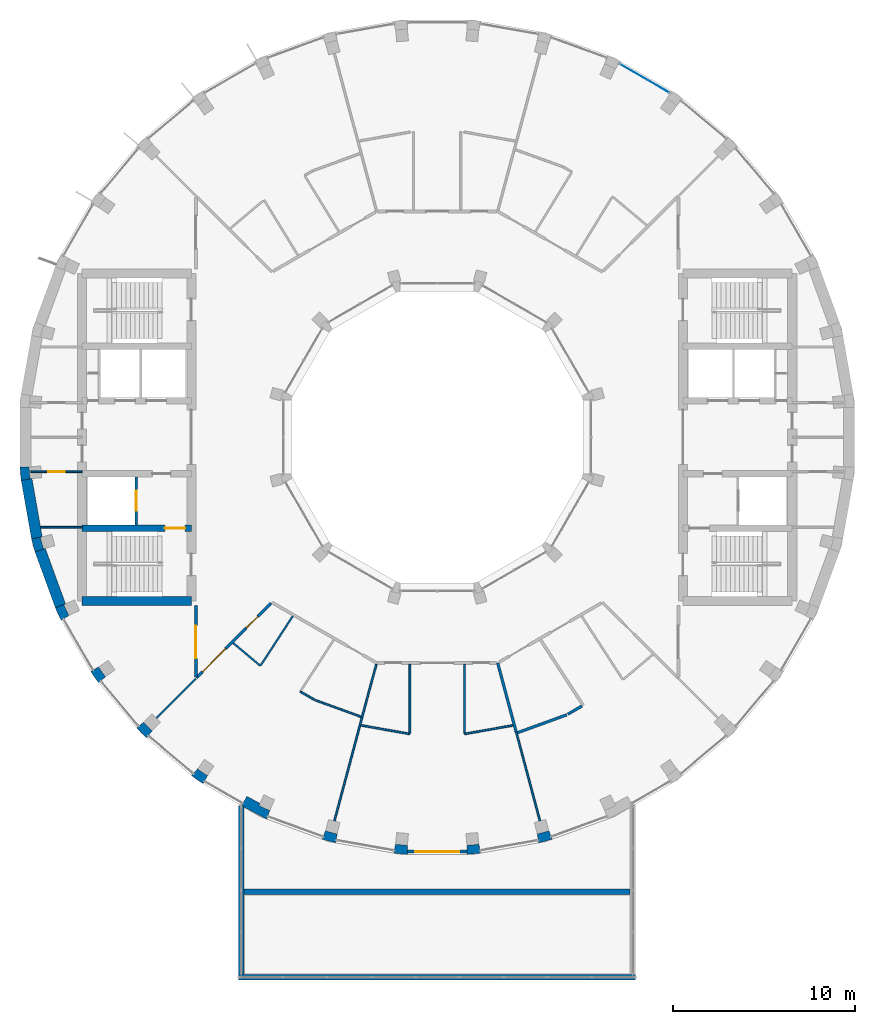
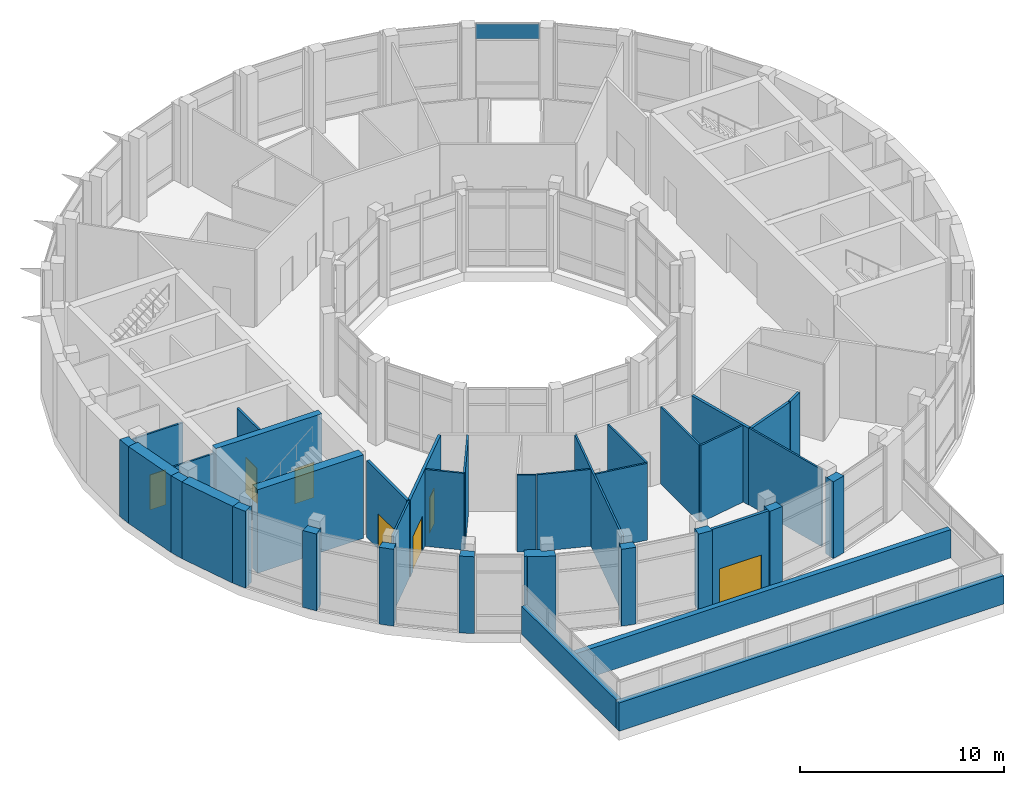
# One storey, part 13 of 19: 38 walls, 7 doors, 1 plate, 7 openings, 1 element without a shape of its own.
"""IFC4 building model written with IfcOpenShell, lengths in metres."""

from ifc_helpers import new_model, si_unit, direction, frame, frame_2d, origin, origin_2d, place, context, subcontext, project, spatial, polyline, rectangle, outline, extrude, material, layer, layer_set, type_object, element, fill, aggregate, save


model = new_model("IFC4")

# Units and contexts
model_context = context("Model", 3, precision=1e-05, world=origin(), true_north=direction((0.0, 1.0)))
body_context = subcontext(model_context, "Body", "Model", "MODEL_VIEW")
ifc_project = project(units=[si_unit("LENGTHUNIT", "METRE"), si_unit("AREAUNIT", "SQUARE_METRE"), si_unit("VOLUMEUNIT", "CUBIC_METRE"), si_unit("PLANEANGLEUNIT", "RADIAN"), si_unit("MASSUNIT", "GRAM", prefix="KILO")], contexts=[model_context])

# Site, building, storey
site_placement = place(None, origin())
site = spatial("IfcSite", under=ifc_project, at=site_placement, CompositionType="ELEMENT")
building_placement = place(site_placement, origin())
building = spatial("IfcBuilding", under=site, at=building_placement, Name="Saqina Gate Tower", CompositionType="ELEMENT")
storey_placement = place(building_placement, frame((0.0, 0.0, 224.699951171875)))
storey = spatial("IfcBuildingStorey", under=building, at=storey_placement, Name="L64", CompositionType="ELEMENT", Elevation=224.699951171875)

# Curtain wall, plate
ifc_material_1 = material(Name="Aluminium glazing", Category="aluminium")
ifc_layer_1 = layer(ifc_material_1, 0.159912109375)
ifc_layer_set_1 = layer_set([ifc_layer_1], Name="CWT-2")
curtain_wall_type = type_object("IfcCurtainWallType", Name="CWT-2", PredefinedType="NOTDEFINED", material=ifc_layer_set_1)
curtain_wall_placement = place(storey_placement, origin())
curtain_wall = element("IfcCurtainWall", 1, at=curtain_wall_placement, inside=storey, type_object=curtain_wall_type, Name="Sky lounge glazing facet 6", PredefinedType="NOTDEFINED")
ifc_material_2 = material(Name="Glass", Category="glass")
ifc_layer_2 = layer(ifc_material_2, 0.028076171875)
ifc_layer_set_2 = layer_set([ifc_layer_2], Name="CWT-2P")
plate_type = type_object("IfcPlateType", Name="CWT-2P", PredefinedType="CURTAIN_PANEL", material=ifc_layer_set_2)
plate_placement = place(storey_placement, frame((11.38134765625, 19.712890625, 3.6298828125), z_axis=(0.0, 0.0, 1.0), x_axis=(-0.8660355365, 0.499982449212, 0.0)))
plate = element("IfcPlate", 2, at=plate_placement, type_object=plate_type, Name="CW2-06 panel 1.3", PredefinedType="CURTAIN_PANEL", context=body_context, shape_type="SweptSolid", body=[
    extrude(rectangle(XDim=3.1318359375, YDim=0.028076171875, at=origin_2d()), origin(), (0.0, 0.0, 1.0), 0.909912109375),
])
aggregate(curtain_wall, [plate])

# Walls
ifc_material_3 = material(Name="Brick masonry (buff)", Category="masonry")
wall_type_1 = type_object("IfcWallType", Name="BRICK PIER COPING BUFF", PredefinedType="SOLIDWALL", material=ifc_material_3)
wall_1_placement = place(storey_placement, origin())
element("IfcWall", 3, at=wall_1_placement, inside=storey, type_object=wall_type_1, Name="Pier cap L64 column 19", PredefinedType="SOLIDWALL", context=body_context, shape_type="SweptSolid", body=[
    extrude(outline(polyline([(-22.91259765625, -1.625732421875), (-22.8466796875, -2.377685546875), (-22.255859375, -2.2734375), (-22.361083984375, -2.28271484375), (-22.417724609375, -1.635009765625), (-22.3125, -1.625732421875), (-22.91259765625, -1.625732421875)])), origin(), (0.0, 0.0, 1.0), 4.60009765625),
])
wall_2_placement = place(storey_placement, origin())
element("IfcWall", 4, at=wall_2_placement, inside=storey, type_object=wall_type_1, Name="Pier cap L64 column 20", PredefinedType="SOLIDWALL", context=body_context, shape_type="SweptSolid", body=[
    extrude(outline(polyline([(-22.0869140625, -6.30859375), (-21.52294921875, -6.103515625), (-21.625, -6.130859375), (-21.793212890625, -5.5029296875), (-21.691162109375, -5.4755859375), (-22.281982421875, -5.579833984375), (-22.0869140625, -6.30859375)])), origin(), (0.0, 0.0, 1.0), 4.60009765625),
])
wall_3_placement = place(storey_placement, origin())
element("IfcWall", 5, at=wall_3_placement, inside=storey, type_object=wall_type_1, Name="Pier cap L64 column 21", PredefinedType="SOLIDWALL", context=body_context, shape_type="SweptSolid", body=[
    extrude(outline(polyline([(-20.974609375, -9.3642578125), (-20.65576171875, -10.048095703125), (-20.135986328125, -9.748291015625), (-20.23193359375, -9.79296875), (-20.506591796875, -9.203857421875), (-20.410888671875, -9.1591796875), (-20.974609375, -9.3642578125)])), origin(), (0.0, 0.0, 1.0), 4.60009765625),
])
wall_4_placement = place(storey_placement, origin())
element("IfcWall", 6, at=wall_4_placement, inside=storey, type_object=wall_type_1, Name="Pier cap L64 column 22", PredefinedType="SOLIDWALL", context=body_context, shape_type="SweptSolid", body=[
    extrude(outline(polyline([(-19.02978515625, -12.8642578125), (-18.59716796875, -13.482421875), (-18.137451171875, -13.0966796875), (-18.22412109375, -13.157470703125), (-18.596923828125, -12.625), (-18.51025390625, -12.564208984375), (-19.02978515625, -12.8642578125)])), origin(), (0.0, 0.0, 1.0), 4.60009765625),
])
wall_5_placement = place(storey_placement, origin())
element("IfcWall", 7, at=wall_5_placement, inside=storey, type_object=wall_type_1, Name="Pier cap L64 column 23", PredefinedType="SOLIDWALL", context=body_context, shape_type="SweptSolid", body=[
    extrude(outline(polyline([(-15.973388671875, -16.5068359375), (-15.587646484375, -16.04736328125), (-15.662353515625, -16.1220703125), (-16.1220703125, -15.662353515625), (-16.04736328125, -15.587646484375), (-16.5068359375, -15.973388671875), (-15.973388671875, -16.5068359375)])), origin(), (0.0, 0.0, 1.0), 4.60009765625),
])
wall_6_placement = place(storey_placement, origin())
element("IfcWall", 8, at=wall_6_placement, inside=storey, type_object=wall_type_1, Name="Pier cap L64 column 24", PredefinedType="SOLIDWALL", context=body_context, shape_type="SweptSolid", body=[
    extrude(outline(polyline([(-12.8642578125, -19.02978515625), (-12.564208984375, -18.51025390625), (-12.625, -18.596923828125), (-13.157470703125, -18.22412109375), (-13.0966796875, -18.137451171875), (-13.482421875, -18.59716796875), (-12.8642578125, -19.02978515625)])), origin(), (0.0, 0.0, 1.0), 4.60009765625),
])
wall_7_placement = place(storey_placement, origin())
element("IfcWall", 9, at=wall_7_placement, inside=storey, type_object=wall_type_1, Name="Pier cap L64 column 25", PredefinedType="SOLIDWALL", context=body_context, shape_type="SweptSolid", body=[
    extrude(outline(polyline([(-10.449951171875, -19.73095703125), (-10.75, -20.25048828125), (-10.60009765625, -20.25048828125), (-10.60009765625, -20.328857421875), (-9.3642578125, -20.974609375), (-9.1591796875, -20.410888671875), (-9.203857421875, -20.506591796875), (-9.79296875, -20.23193359375), (-9.73486328125, -20.107421875), (-10.449951171875, -19.73095703125)])), origin(), (0.0, 0.0, 1.0), 4.60009765625),
])
wall_8_placement = place(storey_placement, origin())
element("IfcWall", 10, at=wall_8_placement, inside=storey, type_object=wall_type_1, Name="Pier cap L64 column 26", PredefinedType="SOLIDWALL", context=body_context, shape_type="SweptSolid", body=[
    extrude(outline(polyline([(-5.579833984375, -22.281982421875), (-5.4755859375, -21.691162109375), (-5.5029296875, -21.793212890625), (-6.130859375, -21.625), (-6.103515625, -21.52294921875), (-6.30859375, -22.0869140625), (-5.579833984375, -22.281982421875)])), origin(), (0.0, 0.0, 1.0), 4.60009765625),
])
wall_9_placement = place(storey_placement, origin())
element("IfcWall", 11, at=wall_9_placement, inside=storey, type_object=wall_type_1, Name="Pier cap L64 column 27", PredefinedType="SOLIDWALL", context=body_context, shape_type="SweptSolid", body=[
    extrude(outline(polyline([(-2.377685546875, -22.8466796875), (-1.625732421875, -22.91259765625), (-1.625732421875, -22.3125), (-1.635009765625, -22.417724609375), (-2.28271484375, -22.361083984375), (-2.2734375, -22.255859375), (-2.377685546875, -22.8466796875)])), origin(), (0.0, 0.0, 1.0), 4.60009765625),
])
wall_10_placement = place(storey_placement, origin())
element("IfcWall", 12, at=wall_10_placement, inside=storey, type_object=wall_type_1, Name="Pier cap L64 column 28", PredefinedType="SOLIDWALL", context=body_context, shape_type="SweptSolid", body=[
    extrude(outline(polyline([(1.625732421875, -22.91259765625), (2.377685546875, -22.8466796875), (2.2734375, -22.255859375), (2.28271484375, -22.361083984375), (1.635009765625, -22.417724609375), (1.625732421875, -22.3125), (1.625732421875, -22.91259765625)])), origin(), (0.0, 0.0, 1.0), 4.60009765625),
])
wall_11_placement = place(storey_placement, origin())
element("IfcWall", 13, at=wall_11_placement, inside=storey, type_object=wall_type_1, Name="Pier cap L64 column 29", PredefinedType="SOLIDWALL", context=body_context, shape_type="SweptSolid", body=[
    extrude(outline(polyline([(6.30859375, -22.0869140625), (6.103515625, -21.52294921875), (6.130859375, -21.625), (5.5029296875, -21.793212890625), (5.4755859375, -21.691162109375), (5.579833984375, -22.281982421875), (6.30859375, -22.0869140625)])), origin(), (0.0, 0.0, 1.0), 4.60009765625),
])
ifc_material_4 = material(Name="Gypsum board on steel studs", Category="steel")
ifc_layer_3 = layer(ifc_material_4, 0.10009765625)
ifc_layer_set_3 = layer_set([ifc_layer_3], Name="CORE PARTITION")
wall_type_2 = type_object("IfcWallType", Name="CORE PARTITION", PredefinedType="PARTITIONING", material=ifc_layer_set_3)
wall_12_placement = place(storey_placement, frame((-19.5, -4.949951171875, 0.0), z_axis=(0.0, 0.0, 1.0), x_axis=(-1.0, 0.0, 0.0)))
element("IfcWall", 14, at=wall_12_placement, inside=storey, type_object=wall_type_2, Name="L64-CP-W04", PredefinedType="PARTITIONING", context=body_context, shape_type="SweptSolid", body=[
    extrude(rectangle(XDim=2.283935546875, YDim=0.10009765625, at=frame_2d((1.14208984375, 0.0))), origin(), (0.0, 0.0, 1.0), 4.60009765625),
])

# Wall, opening, door
wall_13_placement = place(storey_placement, frame((-19.5, -1.89990234375, 0.0), z_axis=(0.0, 0.0, 1.0), x_axis=(-1.0, 0.0, 0.0)))
wall_13 = element("IfcWall", 15, at=wall_13_placement, inside=storey, type_object=wall_type_2, Name="L64-CP-W05", PredefinedType="PARTITIONING", context=body_context, shape_type="SweptSolid", body=[
    extrude(rectangle(XDim=2.8125, YDim=0.10009765625, at=frame_2d((1.40625, 0.0))), origin(), (0.0, 0.0, 1.0), 4.60009765625),
])
opening_1_placement = place(wall_13_placement, frame((0.956298828125, 0.0, 0.0)))
opening_1 = element("IfcOpeningElement", 16, at=opening_1_placement, cuts=wall_13, Name="Opening L64-D105", PredefinedType="OPENING", context=body_context, shape_type="SweptSolid", body=[
    extrude(rectangle(XDim=0.89990234375, YDim=2.10009765625, at=frame_2d((0.449951171875, 1.050048828125))), frame((0.0, 0.06201171875, 0.0), z_axis=(0.0, -1.0, 0.0), x_axis=(1.0, 0.0, 0.0)), (0.0, 0.0, 1.0), 0.1240234375),
])
ifc_material_5 = material(Name="Steel-framed fire door leaf, EI 60", Category="steel")
door_type_1 = type_object("IfcDoorType", Name="SERVICE ROOM DOOR 900", OperationType="SINGLE_SWING_LEFT", PredefinedType="DOOR", material=ifc_material_5)
door_1_placement = place(opening_1_placement, origin())
door_1 = element("IfcDoor", 17, at=door_1_placement, inside=storey, type_object=door_type_1, Name="L64-CD-W16", OperationType="SINGLE_SWING_RIGHT", OverallHeight=2.10009765625, OverallWidth=0.89990234375, PredefinedType="DOOR", context=body_context, shape_type="SweptSolid", body=[
    extrude(rectangle(XDim=0.89990234375, YDim=2.10009765625, at=frame_2d((0.449951171875, 1.050048828125))), frame((0.0, 0.02490234375, 0.0), z_axis=(0.0, -1.0, 0.0), x_axis=(1.0, 0.0, 0.0)), (0.0, 0.0, 1.0), 0.050048828125),
])
fill(opening_1, door_1)

ifc_material_6 = material(Name="Aluminium framed infill", Category="aluminium")
ifc_layer_4 = layer(ifc_material_6, 0.159912109375)
ifc_layer_set_4 = layer_set([ifc_layer_4], Name="FW-INFILL")
wall_type_3 = type_object("IfcWallType", Name="FW-INFILL", PredefinedType="SOLIDWALL", material=ifc_layer_set_4)
wall_14_placement = place(storey_placement, frame((-1.625732421875, -22.762451171875, 0.0), z_axis=(0.0, 0.0, 1.0), x_axis=(1.0, 0.0, 0.0)))
wall_14 = element("IfcWall", 18, at=wall_14_placement, inside=storey, type_object=wall_type_3, Name="Pool hall infill wall L64", PredefinedType="SOLIDWALL", context=body_context, shape_type="SweptSolid", body=[
    extrude(rectangle(XDim=3.25146484375, YDim=0.159912109375, at=frame_2d((1.625732421875, 0.0))), origin(), (0.0, 0.0, 1.0), 4.60009765625),
])
opening_2_placement = place(wall_14_placement, frame((0.42578125, 0.0, 0.0)))
opening_2 = element("IfcOpeningElement", 19, at=opening_2_placement, cuts=wall_14, Name="Opening L64-D80", PredefinedType="OPENING", context=body_context, shape_type="SweptSolid", body=[
    extrude(rectangle(XDim=2.39990234375, YDim=2.10009765625, at=frame_2d((1.199951171875, 1.050048828125))), frame((0.0, 0.092041015625, 0.0), z_axis=(0.0, -1.0, 0.0), x_axis=(1.0, 0.0, 0.0)), (0.0, 0.0, 1.0), 0.183837890625),
])
ifc_material_7 = material(Name="Aluminium glazing", Category="aluminium")
door_type_2 = type_object("IfcDoorType", Name="GD-SLIDE", OperationType="DOUBLE_DOOR_SLIDING", PredefinedType="DOOR", material=ifc_material_7)
door_2_placement = place(opening_2_placement, origin())
door_2 = element("IfcDoor", 20, at=door_2_placement, inside=storey, type_object=door_type_2, Name="Pool deck door L64", OperationType="SINGLE_SWING_LEFT", OverallHeight=2.10009765625, OverallWidth=2.39990234375, PredefinedType="DOOR", context=body_context, shape_type="SweptSolid", body=[
    extrude(rectangle(XDim=2.39990234375, YDim=2.10009765625, at=frame_2d((1.199951171875, 1.050048828125))), frame((0.0, 0.02490234375, 0.0), z_axis=(0.0, -1.0, 0.0), x_axis=(1.0, 0.0, 0.0)), (0.0, 0.0, 1.0), 0.050048828125),
])
fill(opening_2, door_2)

# Walls
ifc_material_8 = material(Name="Glazed ceramic tile", Category="ceramic")
ifc_layer_5 = layer(ifc_material_8, 0.60009765625)
ifc_layer_set_5 = layer_set([ifc_layer_5], Name="FW-TILE")
wall_type_4 = type_object("IfcWallType", Name="FW-TILE", PredefinedType="SOLIDWALL", material=ifc_layer_set_5)
wall_15_placement = place(storey_placement, frame((-22.55126953125, -2.325439453125, 0.0), z_axis=(0.0, 0.0, 1.0), x_axis=(0.173656842178, -0.984806225186, 0.0)))
element("IfcWall", 21, at=wall_15_placement, inside=storey, type_object=wall_type_4, Name="Facade wall L64 facet 19", PredefinedType="SOLIDWALL", context=body_context, shape_type="SweptSolid", body=[
    extrude(rectangle(XDim=3.251708984375, YDim=0.60009765625, at=frame_2d((1.6259765625, 0.0))), origin(), (0.0, 0.0, 1.0), 4.60009765625),
])
ifc_material_9 = material(Name="Glazed ceramic tile (white)", Category="ceramic")
ifc_layer_6 = layer(ifc_material_9, 0.60009765625)
ifc_layer_set_6 = layer_set([ifc_layer_6], Name="FW-TILE-WH")
wall_type_5 = type_object("IfcWallType", Name="FW-TILE-WH", PredefinedType="SOLIDWALL", material=ifc_layer_set_6)
wall_16_placement = place(storey_placement, frame((-21.804931640625, -6.2060546875, 0.0), z_axis=(0.0, 0.0, 1.0), x_axis=(0.342056509473, -0.939679383794, 0.0)))
element("IfcWall", 22, at=wall_16_placement, inside=storey, type_object=wall_type_5, Name="Facade wall L64 facet 20", PredefinedType="SOLIDWALL", context=body_context, shape_type="SweptSolid", body=[
    extrude(rectangle(XDim=3.251708984375, YDim=0.60009765625, at=frame_2d((1.6259765625, 0.0))), origin(), (0.0, 0.0, 1.0), 4.60009765625),
])

# Wall, opening, door
ifc_material_10 = material(Name="Autoclaved aerated concrete block", Category="concrete")
ifc_layer_7 = layer(ifc_material_10, 0.1201171875)
ifc_layer_set_7 = layer_set([ifc_layer_7], Name="SHAFT PARTITION")
wall_type_6 = type_object("IfcWallType", Name="SHAFT PARTITION", PredefinedType="PARTITIONING", material=ifc_layer_set_7)
wall_17_placement = place(storey_placement, frame((-16.530029296875, -4.824951171875, 0.0), z_axis=(0.0, 0.0, 1.0), x_axis=(0.0, 1.0, 0.0)))
wall_17 = element("IfcWall", 23, at=wall_17_placement, inside=storey, type_object=wall_type_6, Name="L64-CP-W09", PredefinedType="PARTITIONING", context=body_context, shape_type="SweptSolid", body=[
    extrude(rectangle(XDim=2.64990234375, YDim=0.1201171875, at=frame_2d((1.324951171875, 0.0))), origin(), (0.0, 0.0, 1.0), 4.60009765625),
])
opening_3_placement = place(wall_17_placement, frame((0.77490234375, 0.0, 0.0)))
opening_3 = element("IfcOpeningElement", 24, at=opening_3_placement, cuts=wall_17, Name="Opening L64-LD6", PredefinedType="OPENING", context=body_context, shape_type="SweptSolid", body=[
    extrude(rectangle(XDim=1.10009765625, YDim=2.10009765625, at=frame_2d((0.550048828125, 1.050048828125))), frame((0.0, 0.072021484375, 0.0), z_axis=(0.0, -1.0, 0.0), x_axis=(1.0, 0.0, 0.0)), (0.0, 0.0, 1.0), 0.14404296875),
])
ifc_material_11 = material(Name="Stainless steel", Category="steel")
door_type_3 = type_object("IfcDoorType", Name="LANDING DOOR", OperationType="DOUBLE_DOOR_SLIDING", PredefinedType="DOOR", material=ifc_material_11)
door_3_placement = place(opening_3_placement, origin())
door_3 = element("IfcDoor", 25, at=door_3_placement, inside=storey, type_object=door_type_3, Name="LANDING DOOR FF2", OperationType="DOUBLE_DOOR_SLIDING", OverallHeight=2.10009765625, OverallWidth=1.10009765625, PredefinedType="DOOR", context=body_context, shape_type="SweptSolid", body=[
    extrude(rectangle(XDim=1.10009765625, YDim=2.10009765625, at=frame_2d((0.550048828125, 1.050048828125))), frame((0.0, 0.02490234375, 0.0), z_axis=(0.0, -1.0, 0.0), x_axis=(1.0, 0.0, 0.0)), (0.0, 0.0, 1.0), 0.050048828125),
])
fill(opening_3, door_3)

# Walls
ifc_material_12 = material(Name="Gypsum board on steel studs, 100 mm", Category="steel")
ifc_layer_8 = layer(ifc_material_12, 0.10009765625)
ifc_layer_set_8 = layer_set([ifc_layer_8], Name="SPECIAL PARTITION 100")
wall_type_7 = type_object("IfcWallType", Name="SPECIAL PARTITION 100", PredefinedType="PARTITIONING", material=ifc_layer_set_8)
wall_18_placement = place(storey_placement, frame((4.341796875, -16.204833984375, 0.0), z_axis=(0.0, 0.0, 1.0), x_axis=(0.258748195279, -0.965944807657, 0.0)))
element("IfcWall", 26, at=wall_18_placement, inside=storey, type_object=wall_type_7, Name="PARTITION 002", PredefinedType="PARTITIONING", context=body_context, shape_type="SweptSolid", body=[
    extrude(rectangle(XDim=5.03857421875, YDim=0.10009765625, at=frame_2d((2.519287109375, 0.0))), origin(), (0.0, 0.0, 1.0), 4.60009765625),
])
wall_19_placement = place(storey_placement, frame((-11.20166015625, -11.30712890625, 0.0), z_axis=(0.0, 0.0, 1.0), x_axis=(0.765897191843, -0.642963056114, 0.0)))
element("IfcWall", 27, at=wall_19_placement, inside=storey, type_object=wall_type_7, Name="PARTITION 012", PredefinedType="PARTITIONING", context=body_context, shape_type="SweptSolid", body=[
    extrude(rectangle(XDim=1.9501953125, YDim=0.10009765625, at=frame_2d((0.97509765625, 0.0))), origin(), (0.0, 0.0, 1.0), 4.60009765625),
])
wall_20_placement = place(storey_placement, frame((-7.52392578125, -13.972900390625, 0.0), z_axis=(0.0, 0.0, 1.0), x_axis=(0.866468987099, -0.499230902886, 0.0)))
element("IfcWall", 28, at=wall_20_placement, inside=storey, type_object=wall_type_7, Name="PARTITION 017", PredefinedType="PARTITIONING", context=body_context, shape_type="SweptSolid", body=[
    extrude(rectangle(XDim=0.91748046875, YDim=0.10009765625, at=frame_2d((0.458740234375, 0.0))), origin(), (0.0, 0.0, 1.0), 4.60009765625),
])
wall_21_placement = place(storey_placement, frame((-6.681884765625, -14.447998046875, 0.0), z_axis=(0.0, 0.0, 1.0), x_axis=(0.939569433945, -0.34235840693, 0.0)))
element("IfcWall", 29, at=wall_21_placement, inside=storey, type_object=wall_type_7, Name="PARTITION 018", PredefinedType="PARTITIONING", context=body_context, shape_type="SweptSolid", body=[
    extrude(rectangle(XDim=2.675537109375, YDim=0.10009765625, at=frame_2d((1.337890625, 0.0))), origin(), (0.0, 0.0, 1.0), 4.60009765625),
])
wall_22_placement = place(storey_placement, frame((-4.188720703125, -15.82568359375, 0.0), z_axis=(0.0, 0.0, 1.0), x_axis=(0.984790759644, -0.173744524288, 0.0)))
element("IfcWall", 30, at=wall_22_placement, inside=storey, type_object=wall_type_7, Name="PARTITION 020", PredefinedType="PARTITIONING", context=body_context, shape_type="SweptSolid", body=[
    extrude(rectangle(XDim=2.730224609375, YDim=0.10009765625, at=frame_2d((1.365234375, 0.0))), origin(), (0.0, 0.0, 1.0), 4.60009765625),
])
wall_23_placement = place(storey_placement, frame((1.5, -16.300048828125, 0.0), z_axis=(0.0, 0.0, 1.0), x_axis=(0.98479355117, 0.173728701063, 0.0)))
element("IfcWall", 31, at=wall_23_placement, inside=storey, type_object=wall_type_7, Name="PARTITION 024", PredefinedType="PARTITIONING", context=body_context, shape_type="SweptSolid", body=[
    extrude(rectangle(XDim=2.705078125, YDim=0.10009765625, at=frame_2d((1.3525390625, 0.0))), origin(), (0.0, 0.0, 1.0), 4.60009765625),
])
wall_24_placement = place(storey_placement, frame((-15.425537109375, -15.425537109375, 0.0), z_axis=(0.0, 0.0, 1.0), x_axis=(0.707106781187, 0.707106781187, 0.0)))
element("IfcWall", 32, at=wall_24_placement, inside=storey, type_object=wall_type_7, Name="PARTITION 034", PredefinedType="PARTITIONING", context=body_context, shape_type="SweptSolid", body=[
    extrude(rectangle(XDim=3.07666015625, YDim=0.10009765625, at=frame_2d((1.538330078125, 0.0))), origin(), (0.0, 0.0, 1.0), 4.60009765625),
])
wall_25_placement = place(storey_placement, frame((-9.680908203125, -12.51904296875, 0.0), z_axis=(0.0, 0.0, 1.0), x_axis=(0.544873455053, 0.838518287206, 0.0)))
element("IfcWall", 33, at=wall_25_placement, inside=storey, type_object=wall_type_7, Name="PARTITION 039", PredefinedType="PARTITIONING", context=body_context, shape_type="SweptSolid", body=[
    extrude(rectangle(XDim=3.211669921875, YDim=0.10009765625, at=frame_2d((1.60595703125, 0.0))), origin(), (0.0, 0.0, 1.0), 4.60009765625),
])
wall_26_placement = place(storey_placement, frame((-5.64501953125, -21.072021484375, 0.0), z_axis=(0.0, 0.0, 1.0), x_axis=(0.258659321195, 0.965968610028, 0.0)))
element("IfcWall", 34, at=wall_26_placement, inside=storey, type_object=wall_type_7, Name="PARTITION 042", PredefinedType="PARTITIONING", context=body_context, shape_type="SweptSolid", body=[
    extrude(rectangle(XDim=8.902587890625, YDim=0.10009765625, at=frame_2d((4.451171875, 0.0))), origin(), (0.0, 0.0, 1.0), 4.60009765625),
])
for number, where, z_axis, x_axis, name in (
    (35, (1.5, -16.25, 0.0), (0.0, 0.0, 1.0), (0.0, 1.0, 0.0), "PARTITION 046"),
    (36, (-1.5, -16.25, 0.0), (0.0, 0.0, 1.0), (0.0, 1.0, 0.0), "PARTITION 049"),
):
    element("IfcWall", number, at=place(storey_placement, frame(where, z_axis=z_axis, x_axis=x_axis)), inside=storey, type_object=wall_type_7, Name=name, PredefinedType="PARTITIONING", context=body_context, shape_type="SweptSolid", body=[
        extrude(rectangle(XDim=3.77490234375, YDim=0.10009765625, at=frame_2d((1.887451171875, 0.0))), origin(), (0.0, 0.0, 1.0), 4.60009765625),
    ])

# Wall, openings, doors
ifc_material_13 = material(Name="Gypsum board on steel studs, 150 mm, fire rated", Category="steel")
ifc_layer_9 = layer(ifc_material_13, 0.14990234375)
ifc_layer_set_9 = layer_set([ifc_layer_9], Name="SPECIAL PARTITION EI 30 150")
wall_type_8 = type_object("IfcWallType", Name="SPECIAL PARTITION EI 30 150", PredefinedType="PARTITIONING", material=ifc_layer_set_9)
wall_27_placement = place(storey_placement, frame((-13.214599609375, -13.214599609375, 0.0), z_axis=(0.0, 0.0, 1.0), x_axis=(0.707106781187, 0.707106781187, 0.0)))
wall_27 = element("IfcWall", 37, at=wall_27_placement, inside=storey, type_object=wall_type_8, Name="PARTITION 036", PredefinedType="PARTITIONING", context=body_context, shape_type="SweptSolid", body=[
    extrude(rectangle(XDim=5.776611328125, YDim=0.14990234375, at=frame_2d((2.88818359375, 0.0))), origin(), (0.0, 0.0, 1.0), 4.60009765625),
])
opening_4_placement = place(wall_27_placement, frame((3.858642578125, 0.0, 0.0)))
opening_4 = element("IfcOpeningElement", 38, at=opening_4_placement, cuts=wall_27, Name="Opening L64-D13", PredefinedType="OPENING", context=body_context, shape_type="SweptSolid", body=[
    extrude(rectangle(XDim=0.89990234375, YDim=2.10009765625, at=frame_2d((0.449951171875, 1.050048828125))), frame((0.0, 0.0869140625, 0.0), z_axis=(0.0, -1.0, 0.0), x_axis=(1.0, 0.0, 0.0)), (0.0, 0.0, 1.0), 0.173828125),
])
opening_5_placement = place(wall_27_placement, frame((0.455810546875, 0.0, 0.0)))
opening_5 = element("IfcOpeningElement", 39, at=opening_5_placement, cuts=wall_27, Name="Opening L64-D14", PredefinedType="OPENING", context=body_context, shape_type="SweptSolid", body=[
    extrude(rectangle(XDim=1.800048828125, YDim=2.10009765625, at=frame_2d((0.89990234375, 1.050048828125))), frame((0.0, 0.0869140625, 0.0), z_axis=(0.0, -1.0, 0.0), x_axis=(1.0, 0.0, 0.0)), (0.0, 0.0, 1.0), 0.173828125),
])
ifc_material_14 = material(Name="Steel-framed fire door leaf, EI 30", Category="steel")
door_type_4 = type_object("IfcDoorType", Name="SPECIAL DOOR 900 FIRE EI 30", OperationType="SINGLE_SWING_LEFT", PredefinedType="DOOR", material=ifc_material_14)
door_4_placement = place(opening_4_placement, frame((0.89990234375, 0.0, 0.0), z_axis=(0.0, 0.0, 1.0), x_axis=(-1.0, 0.0, 0.0)))
door_4 = element("IfcDoor", 40, at=door_4_placement, inside=storey, type_object=door_type_4, Name="DOOR L64-D13", OperationType="SINGLE_SWING_LEFT", OverallHeight=2.10009765625, OverallWidth=0.89990234375, PredefinedType="DOOR", context=body_context, shape_type="SweptSolid", body=[
    extrude(rectangle(XDim=0.89990234375, YDim=2.10009765625, at=frame_2d((0.449951171875, 1.050048828125))), frame((0.0, 0.02490234375, 0.0), z_axis=(0.0, -1.0, 0.0), x_axis=(1.0, 0.0, 0.0)), (0.0, 0.0, 1.0), 0.050048828125),
])
fill(opening_4, door_4)
ifc_material_15 = material(Name="Steel-framed fire door leaf, EI 30", Category="steel")
door_type_5 = type_object("IfcDoorType", Name="SPECIAL DOUBLE DOOR 1800 FIRE EI 30", OperationType="DOUBLE_DOOR_SINGLE_SWING", PredefinedType="DOOR", material=ifc_material_15)
door_5_placement = place(opening_5_placement, frame((1.800048828125, 0.0, 0.0), z_axis=(0.0, 0.0, 1.0), x_axis=(-1.0, 0.0, 0.0)))
door_5 = element("IfcDoor", 41, at=door_5_placement, inside=storey, type_object=door_type_5, Name="DOOR L64-D14", OperationType="DOUBLE_DOOR_SINGLE_SWING", OverallHeight=2.10009765625, OverallWidth=1.800048828125, PredefinedType="DOOR", context=body_context, shape_type="SweptSolid", body=[
    extrude(rectangle(XDim=1.800048828125, YDim=2.10009765625, at=frame_2d((0.89990234375, 1.050048828125))), frame((0.0, 0.02490234375, 0.0), z_axis=(0.0, -1.0, 0.0), x_axis=(1.0, 0.0, 0.0)), (0.0, 0.0, 1.0), 0.050048828125),
])
fill(opening_5, door_5)

# Wall, opening, door
wall_28_placement = place(storey_placement, frame((-13.25, -13.175048828125, 0.0), z_axis=(0.0, 0.0, 1.0), x_axis=(0.0, 1.0, 0.0)))
wall_28 = element("IfcWall", 42, at=wall_28_placement, inside=storey, type_object=wall_type_8, Name="PARTITION 050", PredefinedType="PARTITIONING", context=body_context, shape_type="SweptSolid", body=[
    extrude(rectangle(XDim=3.925048828125, YDim=0.14990234375, at=frame_2d((1.96240234375, 0.0))), origin(), (0.0, 0.0, 1.0), 4.60009765625),
])
opening_6_placement = place(wall_28_placement, frame((1.02490234375, 0.0, 0.0)))
opening_6 = element("IfcOpeningElement", 43, at=opening_6_placement, cuts=wall_28, Name="Opening L64-D12", PredefinedType="OPENING", context=body_context, shape_type="SweptSolid", body=[
    extrude(rectangle(XDim=1.800048828125, YDim=2.10009765625, at=frame_2d((0.89990234375, 1.050048828125))), frame((0.0, 0.0869140625, 0.0), z_axis=(0.0, -1.0, 0.0), x_axis=(1.0, 0.0, 0.0)), (0.0, 0.0, 1.0), 0.173828125),
])
door_6_placement = place(opening_6_placement, origin())
door_6 = element("IfcDoor", 44, at=door_6_placement, inside=storey, type_object=door_type_5, Name="DOOR L64-D12", OperationType="DOUBLE_DOOR_SINGLE_SWING", OverallHeight=2.10009765625, OverallWidth=1.800048828125, PredefinedType="DOOR", context=body_context, shape_type="SweptSolid", body=[
    extrude(rectangle(XDim=1.800048828125, YDim=2.10009765625, at=frame_2d((0.89990234375, 1.050048828125))), frame((0.0, 0.02490234375, 0.0), z_axis=(0.0, -1.0, 0.0), x_axis=(1.0, 0.0, 0.0)), (0.0, 0.0, 1.0), 0.050048828125),
])
fill(opening_6, door_6)

# Walls
ifc_material_16 = material(Name="Masonry block and plaster, 150 mm, fire rated", Category="masonry")
ifc_layer_10 = layer(ifc_material_16, 0.14990234375)
ifc_layer_set_10 = layer_set([ifc_layer_10], Name="SPECIAL PARTITION EI 60 150")
wall_type_9 = type_object("IfcWallType", Name="SPECIAL PARTITION EI 60 150", PredefinedType="PARTITIONING", material=ifc_layer_set_10)
wall_29_placement = place(storey_placement, frame((3.322998046875, -12.39990234375, 0.0), z_axis=(0.0, 0.0, 1.0), x_axis=(0.258646238559, -0.965972113096, 0.0)))
element("IfcWall", 45, at=wall_29_placement, inside=storey, type_object=wall_type_9, Name="PARTITION 003", PredefinedType="PARTITIONING", context=body_context, shape_type="SweptSolid", body=[
    extrude(rectangle(XDim=3.93896484375, YDim=0.14990234375, at=frame_2d((1.969482421875, 0.0))), origin(), (0.0, 0.0, 1.0), 4.60009765625),
])
wall_30_placement = place(storey_placement, frame((4.402099609375, -16.23583984375, 0.0), z_axis=(0.0, 0.0, 1.0), x_axis=(0.939709324203, 0.341974247578, 0.0)))
element("IfcWall", 46, at=wall_30_placement, inside=storey, type_object=wall_type_9, Name="PARTITION 026", PredefinedType="PARTITIONING", context=body_context, shape_type="SweptSolid", body=[
    extrude(rectangle(XDim=2.8828125, YDim=0.14990234375, at=frame_2d((1.44140625, 0.0))), origin(), (0.0, 0.0, 1.0), 4.60009765625),
])
wall_31_placement = place(storey_placement, frame((7.17578125, -15.21240234375, 0.0), z_axis=(0.0, 0.0, 1.0), x_axis=(0.866067377925, 0.499927291608, 0.0)))
element("IfcWall", 47, at=wall_31_placement, inside=storey, type_object=wall_type_9, Name="PARTITION 028", PredefinedType="PARTITIONING", context=body_context, shape_type="SweptSolid", body=[
    extrude(rectangle(XDim=0.894287109375, YDim=0.14990234375, at=frame_2d((0.447265625, 0.0))), origin(), (0.0, 0.0, 1.0), 4.60009765625),
])

# Wall, opening, door
ifc_material_17 = material(Name="Concrete C60/75", Category="concrete")
ifc_layer_11 = layer(ifc_material_17, 0.35009765625)
ifc_layer_set_11 = layer_set([ifc_layer_11], Name="Concrete C60/75")
wall_type_10 = type_object("IfcWallType", Name="STR-CORE WALL-D-I", PredefinedType="SHEAR", material=ifc_layer_set_11)
wall_32_placement = place(storey_placement, frame((-13.5, -5.0, 0.0), z_axis=(0.0, 0.0, 1.0), x_axis=(-1.0, 0.0, 0.0)))
wall_32 = element("IfcWall", 48, at=wall_32_placement, inside=storey, type_object=wall_type_10, Name="CORE WALL L64 W-X2", PredefinedType="SHEAR", context=body_context, shape_type="SweptSolid", body=[
    extrude(rectangle(XDim=6.0, YDim=0.35009765625, at=frame_2d((3.0, 0.0))), origin(), (0.0, 0.0, 1.0), 5.0),
])
opening_7_placement = place(wall_32_placement, frame((0.35009765625, 0.0, 0.0)))
opening_7 = element("IfcOpeningElement", 49, at=opening_7_placement, cuts=wall_32, Name="Opening L64-D108", PredefinedType="OPENING", context=body_context, shape_type="SweptSolid", body=[
    extrude(rectangle(XDim=1.10009765625, YDim=2.10009765625, at=frame_2d((0.550048828125, 1.050048828125))), frame((0.0, 0.18701171875, 0.0), z_axis=(0.0, -1.0, 0.0), x_axis=(1.0, 0.0, 0.0)), (0.0, 0.0, 1.0), 0.3740234375),
])
ifc_material_18 = material(Name="Steel", Category="steel")
door_type_6 = type_object("IfcDoorType", Name="FIRE LOBBY DOOR EI 60 WIDE", OperationType="SINGLE_SWING_LEFT", PredefinedType="DOOR", material=ifc_material_18)
door_7_placement = place(opening_7_placement, origin())
door_7 = element("IfcDoor", 50, at=door_7_placement, inside=storey, type_object=door_type_6, Name="L64-CD-W19", OperationType="SINGLE_SWING_LEFT", OverallHeight=2.10009765625, OverallWidth=1.10009765625, PredefinedType="DOOR", context=body_context, shape_type="SweptSolid", body=[
    extrude(rectangle(XDim=1.10009765625, YDim=2.10009765625, at=frame_2d((0.550048828125, 1.050048828125))), frame((0.0, 0.02490234375, 0.0), z_axis=(0.0, -1.0, 0.0), x_axis=(1.0, 0.0, 0.0)), (0.0, 0.0, 1.0), 0.050048828125),
])
fill(opening_7, door_7)

# Walls
ifc_material_19 = material(Name="Concrete C60/75", Category="concrete")
ifc_layer_12 = layer(ifc_material_19, 0.5)
ifc_layer_set_12 = layer_set([ifc_layer_12], Name="Concrete C60/75")
wall_type_11 = type_object("IfcWallType", Name="STR-CORE WALL-D-O", PredefinedType="SHEAR", material=ifc_layer_set_12)
wall_33_placement = place(storey_placement, frame((-13.5, -9.0, 0.0), z_axis=(0.0, 0.0, 1.0), x_axis=(-1.0, 0.0, 0.0)))
element("IfcWall", 51, at=wall_33_placement, inside=storey, type_object=wall_type_11, Name="CORE WALL L64 W-SE", PredefinedType="SHEAR", context=body_context, shape_type="SweptSolid", body=[
    extrude(rectangle(XDim=6.0, YDim=0.5, at=frame_2d((3.0, 0.0))), origin(), (0.0, 0.0, 1.0), 5.0),
])
ifc_material_20 = material(Name="Concrete C40/50", Category="concrete")
ifc_layer_13 = layer(ifc_material_20, 0.300048828125)
ifc_layer_set_13 = layer_set([ifc_layer_13], Name="Concrete C40/50")
wall_type_12 = type_object("IfcWallType", Name="STR-WALL-POOL", PredefinedType="SOLIDWALL", material=ifc_layer_set_13)
wall_34_placement = place(storey_placement, frame((-10.75, -29.512451171875, 0.0), z_axis=(0.0, 0.0, 1.0), x_axis=(0.0, 1.0, 0.0)))
element("IfcWall", 52, at=wall_34_placement, inside=storey, type_object=wall_type_12, Name="POOL WALL W", PredefinedType="SOLIDWALL", context=body_context, shape_type="SweptSolid", body=[
    extrude(rectangle(XDim=9.261962890625, YDim=0.300048828125, at=frame_2d((4.630859375, 0.0))), origin(), (0.0, 0.0, 1.0), 1.699951171875),
])
wall_35_placement = place(storey_placement, frame((-10.89990234375, -29.66259765625, 0.0), z_axis=(0.0, 0.0, 1.0), x_axis=(1.0, 0.0, 0.0)))
element("IfcWall", 53, at=wall_35_placement, inside=storey, type_object=wall_type_12, Name="POOL WALL S", PredefinedType="SOLIDWALL", context=body_context, shape_type="SweptSolid", body=[
    extrude(rectangle(XDim=21.7998046875, YDim=0.300048828125, at=frame_2d((10.89990234375, 0.0))), origin(), (0.0, 0.0, 1.0), 1.699951171875),
])
wall_36_placement = place(storey_placement, frame((-10.60009765625, -24.96240234375, 0.0), z_axis=(0.0, 0.0, 1.0), x_axis=(1.0, 0.0, 0.0)))
element("IfcWall", 54, at=wall_36_placement, inside=storey, type_object=wall_type_12, Name="POOL WALL N", PredefinedType="SOLIDWALL", context=body_context, shape_type="SweptSolid", body=[
    extrude(rectangle(XDim=21.2001953125, YDim=0.300048828125, at=frame_2d((10.60009765625, 0.0))), origin(), (0.0, 0.0, 1.0), 1.699951171875),
])

save(model, "model.ifc")
